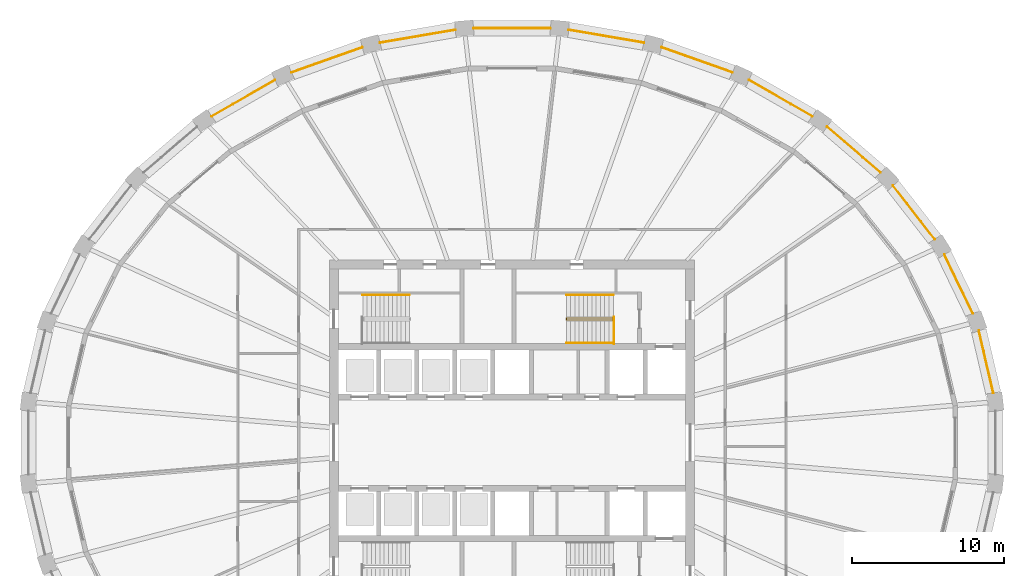
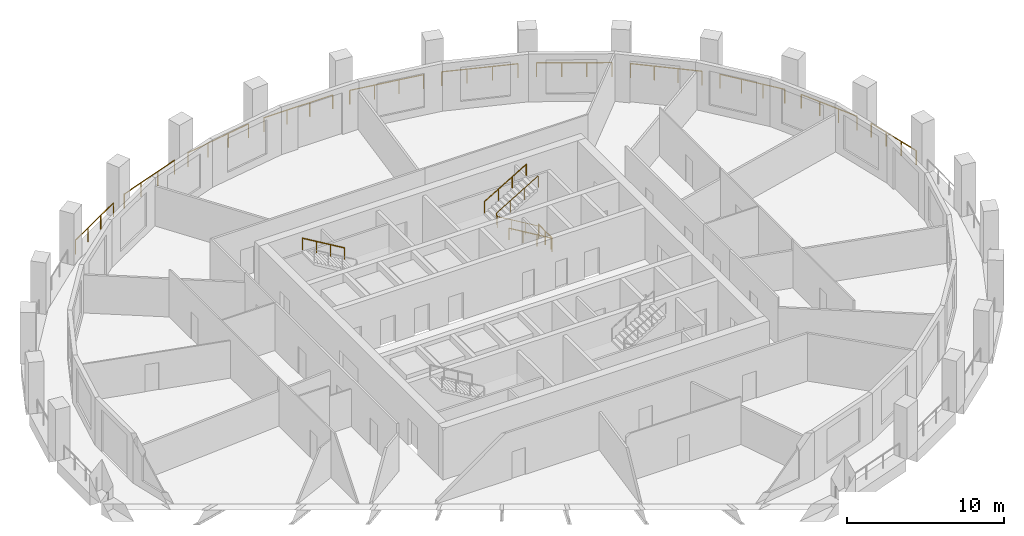
# One storey, part 10 of 11: 16 railings.
"""IFC4 building model written with IfcOpenShell, lengths in metres."""

from ifc_helpers import new_model, si_unit, direction, frame, origin, origin_2d, place, context, subcontext, project, spatial, circle, extrude, material, type_object, element, save


model = new_model("IFC4")

# Units and contexts
model_context = context("Model", 3, precision=1e-05, world=origin(), true_north=direction((0.0, 1.0)))
body_context = subcontext(model_context, "Body", "Model", "MODEL_VIEW")
ifc_project = project(units=[si_unit("LENGTHUNIT", "METRE"), si_unit("AREAUNIT", "SQUARE_METRE"), si_unit("VOLUMEUNIT", "CUBIC_METRE"), si_unit("PLANEANGLEUNIT", "RADIAN"), si_unit("MASSUNIT", "GRAM", prefix="KILO")], contexts=[model_context])

# Site, building, storey
site_placement = place(None, origin())
site = spatial("IfcSite", under=ifc_project, at=site_placement, CompositionType="ELEMENT")
building_placement = place(site_placement, origin())
building = spatial("IfcBuilding", under=site, at=building_placement, Name="Halqa Exchange Tower", CompositionType="ELEMENT")
storey_placement = place(building_placement, frame((0.0, 0.0, 214.89990234375)))
storey = spatial("IfcBuildingStorey", under=building, at=storey_placement, Name="L49", CompositionType="ELEMENT", Elevation=214.89990234375)

# Railings
ifc_material = material(Name="Stainless steel", Category="steel")
railing_type_1 = type_object("IfcRailingType", Name="Guard 1100 stainless steel", PredefinedType="GUARDRAIL", material=ifc_material)
railing_1_placement = place(storey_placement, frame((31.60546875, 3.26416015625, 0.0)))
element("IfcRailing", 1, at=railing_1_placement, inside=storey, type_object=railing_type_1, Name="Loggia guard 1", PredefinedType="GUARDRAIL", context=body_context, shape_type="SweptSolid", body=[
    extrude(circle(Radius=0.02392578125, at=origin_2d()), frame((0.0, 0.0, 1.076171875), z_axis=(-0.226057733886, 0.974113905532, 0.0), x_axis=(-0.974113905532, -0.226057733886, 0.0)), (0.0, 0.0, 1.0), 4.19580078125),
    extrude(circle(Radius=0.02099609375, at=origin_2d()), origin(), (0.0, 0.0, 1.0), 1.052001953125),
    extrude(circle(Radius=0.02099609375, at=origin_2d()), frame((-0.316162109375, 1.3623046875, 0.0)), (0.0, 0.0, 1.0), 1.052001953125),
    extrude(circle(Radius=0.02099609375, at=origin_2d()), frame((-0.63232421875, 2.724853515625, 0.0)), (0.0, 0.0, 1.0), 1.052001953125),
    extrude(circle(Radius=0.02099609375, at=origin_2d()), frame((-0.948486328125, 4.087158203125, 0.0)), (0.0, 0.0, 1.0), 1.052001953125),
])
railing_2_placement = place(storey_placement, frame((30.26025390625, 8.47607421875, 0.0)))
element("IfcRailing", 2, at=railing_2_placement, inside=storey, type_object=railing_type_1, Name="Loggia guard 2", PredefinedType="GUARDRAIL", context=body_context, shape_type="SweptSolid", body=[
    extrude(circle(Radius=0.02392578125, at=origin_2d()), frame((0.0, 0.0, 1.076171875), z_axis=(-0.435111117013, 0.900376763278, 0.0), x_axis=(-0.900376763278, -0.435111117013, 0.0)), (0.0, 0.0, 1.0), 4.299072265625),
    extrude(circle(Radius=0.02099609375, at=origin_2d()), origin(), (0.0, 0.0, 1.0), 1.052001953125),
    extrude(circle(Radius=0.02099609375, at=origin_2d()), frame((-0.62353515625, 1.290283203125, 0.0)), (0.0, 0.0, 1.0), 1.052001953125),
    extrude(circle(Radius=0.02099609375, at=origin_2d()), frame((-1.2470703125, 2.58056640625, 0.0)), (0.0, 0.0, 1.0), 1.052001953125),
    extrude(circle(Radius=0.02099609375, at=origin_2d()), frame((-1.87060546875, 3.870849609375, 0.0)), (0.0, 0.0, 1.0), 1.052001953125),
])
railing_3_placement = place(storey_placement, frame((27.759765625, 13.3603515625, 0.0)))
element("IfcRailing", 3, at=railing_3_placement, inside=storey, type_object=railing_type_1, Name="Loggia guard 3", PredefinedType="GUARDRAIL", context=body_context, shape_type="SweptSolid", body=[
    extrude(circle(Radius=0.02392578125, at=origin_2d()), frame((0.0, 0.0, 1.076171875), z_axis=(-0.614817574513, 0.788669354083, 0.0), x_axis=(-0.788669354083, -0.614817574513, 0.0)), (0.0, 0.0, 1.0), 4.4501953125),
    extrude(circle(Radius=0.02099609375, at=origin_2d()), origin(), (0.0, 0.0, 1.0), 1.052001953125),
    extrude(circle(Radius=0.02099609375, at=origin_2d()), frame((-0.912109375, 1.169921875, 0.0)), (0.0, 0.0, 1.0), 1.052001953125),
    extrude(circle(Radius=0.02099609375, at=origin_2d()), frame((-1.823974609375, 2.33984375, 0.0)), (0.0, 0.0, 1.0), 1.052001953125),
    extrude(circle(Radius=0.02099609375, at=origin_2d()), frame((-2.736083984375, 3.509765625, 0.0)), (0.0, 0.0, 1.0), 1.052001953125),
])
railing_4_placement = place(storey_placement, frame((24.199462890625, 17.733642578125, 0.0)))
element("IfcRailing", 4, at=railing_4_placement, inside=storey, type_object=railing_type_1, Name="Loggia guard 4", PredefinedType="GUARDRAIL", context=body_context, shape_type="SweptSolid", body=[
    extrude(circle(Radius=0.02392578125, at=origin_2d()), frame((0.0, 0.0, 1.076171875), z_axis=(-0.759282695438, 0.650760930302, 0.0), x_axis=(-0.650760930302, -0.759282695438, 0.0)), (0.0, 0.0, 1.0), 4.623046875),
    extrude(circle(Radius=0.02099609375, at=origin_2d()), origin(), (0.0, 0.0, 1.0), 1.052001953125),
    extrude(circle(Radius=0.02099609375, at=origin_2d()), frame((-1.170166015625, 1.0029296875, 0.0)), (0.0, 0.0, 1.0), 1.052001953125),
    extrude(circle(Radius=0.02099609375, at=origin_2d()), frame((-2.340087890625, 2.005615234375, 0.0)), (0.0, 0.0, 1.0), 1.052001953125),
    extrude(circle(Radius=0.02099609375, at=origin_2d()), frame((-3.51025390625, 3.008544921875, 0.0)), (0.0, 0.0, 1.0), 1.052001953125),
])
railing_5_placement = place(storey_placement, frame((19.713134765625, 21.430908203125, 0.0)))
element("IfcRailing", 5, at=railing_5_placement, inside=storey, type_object=railing_type_1, Name="Loggia guard 5", PredefinedType="GUARDRAIL", context=body_context, shape_type="SweptSolid", body=[
    extrude(circle(Radius=0.02392578125, at=origin_2d()), frame((0.0, 0.0, 1.076171875), z_axis=(-0.867744081254, 0.497011276983, 0.0), x_axis=(-0.497011276983, -0.867744081254, 0.0)), (0.0, 0.0, 1.0), 4.790771484375),
    extrude(circle(Radius=0.02099609375, at=origin_2d()), origin(), (0.0, 0.0, 1.0), 1.052001953125),
    extrude(circle(Radius=0.02099609375, at=origin_2d()), frame((-1.3857421875, 0.793701171875, 0.0)), (0.0, 0.0, 1.0), 1.052001953125),
    extrude(circle(Radius=0.02099609375, at=origin_2d()), frame((-2.771484375, 1.58740234375, 0.0)), (0.0, 0.0, 1.0), 1.052001953125),
    extrude(circle(Radius=0.02099609375, at=origin_2d()), frame((-4.1572265625, 2.381103515625, 0.0)), (0.0, 0.0, 1.0), 1.052001953125),
])
railing_6_placement = place(storey_placement, frame((14.4697265625, 24.310791015625, 0.0)))
element("IfcRailing", 6, at=railing_6_placement, inside=storey, type_object=railing_type_1, Name="Loggia guard 6", PredefinedType="GUARDRAIL", context=body_context, shape_type="SweptSolid", body=[
    extrude(circle(Radius=0.02392578125, at=origin_2d()), frame((0.0, 0.0, 1.076171875), z_axis=(-0.942353210316, 0.334619824589, 0.0), x_axis=(-0.334619824589, -0.942353210316, 0.0)), (0.0, 0.0, 1.0), 4.929931640625),
    extrude(circle(Radius=0.02099609375, at=origin_2d()), origin(), (0.0, 0.0, 1.0), 1.052001953125),
    extrude(circle(Radius=0.02099609375, at=origin_2d()), frame((-1.548583984375, 0.5498046875, 0.0)), (0.0, 0.0, 1.0), 1.052001953125),
    extrude(circle(Radius=0.02099609375, at=origin_2d()), frame((-3.09716796875, 1.099853515625, 0.0)), (0.0, 0.0, 1.0), 1.052001953125),
    extrude(circle(Radius=0.02099609375, at=origin_2d()), frame((-4.645751953125, 1.649658203125, 0.0)), (0.0, 0.0, 1.0), 1.052001953125),
])
railing_7_placement = place(storey_placement, frame((8.6669921875, 26.261962890625, 0.0)))
element("IfcRailing", 7, at=railing_7_placement, inside=storey, type_object=railing_type_1, Name="Loggia guard 7", PredefinedType="GUARDRAIL", context=body_context, shape_type="SweptSolid", body=[
    extrude(circle(Radius=0.02392578125, at=origin_2d()), frame((0.0, 0.0, 1.076171875), z_axis=(-0.985769265173, 0.168104003044, 0.0), x_axis=(-0.168104003044, -0.985769265173, 0.0)), (0.0, 0.0, 1.0), 5.020751953125),
    extrude(circle(Radius=0.02099609375, at=origin_2d()), origin(), (0.0, 0.0, 1.0), 1.052001953125),
    extrude(circle(Radius=0.02099609375, at=origin_2d()), frame((-1.649658203125, 0.28125, 0.0)), (0.0, 0.0, 1.0), 1.052001953125),
    extrude(circle(Radius=0.02099609375, at=origin_2d()), frame((-3.299560546875, 0.562744140625, 0.0)), (0.0, 0.0, 1.0), 1.052001953125),
    extrude(circle(Radius=0.02099609375, at=origin_2d()), frame((-4.94921875, 0.843994140625, 0.0)), (0.0, 0.0, 1.0), 1.052001953125),
])
railing_8_placement = place(storey_placement, frame((2.526123046875, 27.206787109375, 0.0)))
element("IfcRailing", 8, at=railing_8_placement, inside=storey, type_object=railing_type_1, Name="Loggia guard 8", PredefinedType="GUARDRAIL", context=body_context, shape_type="SweptSolid", body=[
    extrude(circle(Radius=0.02392578125, at=origin_2d()), frame((0.0, 0.0, 1.076171875), z_axis=(-1.0, 0.0, 0.0), x_axis=(0.0, -1.0, 0.0)), (0.0, 0.0, 1.0), 5.05224609375),
    extrude(circle(Radius=0.02099609375, at=origin_2d()), origin(), (0.0, 0.0, 1.0), 1.052001953125),
    extrude(circle(Radius=0.02099609375, at=origin_2d()), frame((-1.68408203125, 0.0, 0.0)), (0.0, 0.0, 1.0), 1.052001953125),
    extrude(circle(Radius=0.02099609375, at=origin_2d()), frame((-3.3681640625, 0.0, 0.0)), (0.0, 0.0, 1.0), 1.052001953125),
    extrude(circle(Radius=0.02099609375, at=origin_2d()), frame((-5.05224609375, 0.0, 0.0)), (0.0, 0.0, 1.0), 1.052001953125),
])
railing_9_placement = place(storey_placement, frame((-3.7177734375, 27.10595703125, 0.0)))
element("IfcRailing", 9, at=railing_9_placement, inside=storey, type_object=railing_type_1, Name="Loggia guard 9", PredefinedType="GUARDRAIL", context=body_context, shape_type="SweptSolid", body=[
    extrude(circle(Radius=0.02392578125, at=origin_2d()), frame((0.0, 0.0, 1.076171875), z_axis=(-0.985769265173, -0.168104003044, 0.0), x_axis=(0.168104003044, -0.985769265173, 0.0)), (0.0, 0.0, 1.0), 5.020751953125),
    extrude(circle(Radius=0.02099609375, at=origin_2d()), origin(), (0.0, 0.0, 1.0), 1.052001953125),
    extrude(circle(Radius=0.02099609375, at=origin_2d()), frame((-1.649658203125, -0.28125, 0.0)), (0.0, 0.0, 1.0), 1.052001953125),
    extrude(circle(Radius=0.02099609375, at=origin_2d()), frame((-3.299560546875, -0.562744140625, 0.0)), (0.0, 0.0, 1.0), 1.052001953125),
    extrude(circle(Radius=0.02099609375, at=origin_2d()), frame((-4.94921875, -0.843994140625, 0.0)), (0.0, 0.0, 1.0), 1.052001953125),
])
railing_10_placement = place(storey_placement, frame((-9.823974609375, 25.96044921875, 0.0)))
element("IfcRailing", 10, at=railing_10_placement, inside=storey, type_object=railing_type_1, Name="Loggia guard 10", PredefinedType="GUARDRAIL", context=body_context, shape_type="SweptSolid", body=[
    extrude(circle(Radius=0.02392578125, at=origin_2d()), frame((0.0, 0.0, 1.076171875), z_axis=(-0.942353210316, -0.334619824589, 0.0), x_axis=(0.334619824589, -0.942353210316, 0.0)), (0.0, 0.0, 1.0), 4.929931640625),
    extrude(circle(Radius=0.02099609375, at=origin_2d()), origin(), (0.0, 0.0, 1.0), 1.052001953125),
    extrude(circle(Radius=0.02099609375, at=origin_2d()), frame((-1.548583984375, -0.5498046875, 0.0)), (0.0, 0.0, 1.0), 1.052001953125),
    extrude(circle(Radius=0.02099609375, at=origin_2d()), frame((-3.09716796875, -1.099853515625, 0.0)), (0.0, 0.0, 1.0), 1.052001953125),
    extrude(circle(Radius=0.02099609375, at=origin_2d()), frame((-4.645751953125, -1.649658203125, 0.0)), (0.0, 0.0, 1.0), 1.052001953125),
])
railing_11_placement = place(storey_placement, frame((-15.555908203125, 23.81201171875, 0.0)))
element("IfcRailing", 11, at=railing_11_placement, inside=storey, type_object=railing_type_1, Name="Loggia guard 11", PredefinedType="GUARDRAIL", context=body_context, shape_type="SweptSolid", body=[
    extrude(circle(Radius=0.02392578125, at=origin_2d()), frame((0.0, 0.0, 1.076171875), z_axis=(-0.867744081254, -0.497011276983, 0.0), x_axis=(0.497011276983, -0.867744081254, 0.0)), (0.0, 0.0, 1.0), 4.790771484375),
    extrude(circle(Radius=0.02099609375, at=origin_2d()), origin(), (0.0, 0.0, 1.0), 1.052001953125),
    extrude(circle(Radius=0.02099609375, at=origin_2d()), frame((-1.3857421875, -0.793701171875, 0.0)), (0.0, 0.0, 1.0), 1.052001953125),
    extrude(circle(Radius=0.02099609375, at=origin_2d()), frame((-2.771484375, -1.58740234375, 0.0)), (0.0, 0.0, 1.0), 1.052001953125),
    extrude(circle(Radius=0.02099609375, at=origin_2d()), frame((-4.1572265625, -2.381103515625, 0.0)), (0.0, 0.0, 1.0), 1.052001953125),
])
railing_type_2 = type_object("IfcRailingType", Name="Stair handrail 900", PredefinedType="HANDRAIL", material=ifc_material)
railing_12_placement = place(storey_placement, frame((-6.719970703125, 9.699951171875, 2.166748046875)))
element("IfcRailing", 12, at=railing_12_placement, inside=storey, type_object=railing_type_2, Name="Handrail ST1.3", PredefinedType="HANDRAIL", context=body_context, shape_type="SweptSolid", body=[
    extrude(circle(Radius=0.02392578125, at=origin_2d()), frame((0.0, 0.0, 0.8759765625), z_axis=(-0.859308565015, 0.0, 0.511457515432), x_axis=(0.0, -1.0, 0.0)), (0.0, 0.0, 1.0), 3.58447265625),
    extrude(circle(Radius=0.02099609375, at=origin_2d()), origin(), (0.0, 0.0, 1.0), 0.851806640625),
    extrude(circle(Radius=0.02099609375, at=origin_2d()), frame((-1.026611328125, 0.0, 0.611083984375)), (0.0, 0.0, 1.0), 0.851806640625),
    extrude(circle(Radius=0.02099609375, at=origin_2d()), frame((-2.053466796875, 0.0, 1.22216796875)), (0.0, 0.0, 1.0), 0.851806640625),
    extrude(circle(Radius=0.02099609375, at=origin_2d()), frame((-3.080078125, 0.0, 1.833251953125)), (0.0, 0.0, 1.0), 0.851806640625),
])
railing_13_placement = place(storey_placement, frame((6.64990234375, 8.06005859375, 0.166748046875)))
element("IfcRailing", 13, at=railing_13_placement, inside=storey, type_object=railing_type_2, Name="Handrail ST2.1", PredefinedType="HANDRAIL", context=body_context, shape_type="SweptSolid", body=[
    extrude(circle(Radius=0.02392578125, at=origin_2d()), frame((0.0, 0.0, 0.8759765625), z_axis=(-0.859290745958, 0.0, 0.51148745235), x_axis=(0.0, -1.0, 0.0)), (0.0, 0.0, 1.0), 3.584228515625),
    extrude(circle(Radius=0.02392578125, at=origin_2d()), frame((-3.079833984375, 0.0, 2.708984375), z_axis=(0.0, 0.614500226555, 0.788916644243), x_axis=(-1.0, 0.0, 0.0)), (0.0, 0.0, 1.0), 0.21142578125),
    extrude(circle(Radius=0.02392578125, at=origin_2d()), frame((-3.079833984375, 0.1298828125, 2.8759765625), z_axis=(0.859290745958, 0.0, 0.51148745235), x_axis=(0.0, 1.0, 0.0)), (0.0, 0.0, 1.0), 3.584228515625),
    extrude(circle(Radius=0.02099609375, at=origin_2d()), origin(), (0.0, 0.0, 1.0), 0.851806640625),
    extrude(circle(Radius=0.02099609375, at=origin_2d()), frame((-1.026611328125, 0.0, 0.611083984375)), (0.0, 0.0, 1.0), 0.851806640625),
    extrude(circle(Radius=0.02099609375, at=origin_2d()), frame((-2.05322265625, 0.0, 1.22216796875)), (0.0, 0.0, 1.0), 0.851806640625),
    extrude(circle(Radius=0.02099609375, at=origin_2d()), frame((-3.079833984375, 0.0, 1.833251953125)), (0.0, 0.0, 1.0), 0.851806640625),
    extrude(circle(Radius=0.02099609375, at=origin_2d()), frame((-3.079833984375, 0.1298828125, 2.0)), (0.0, 0.0, 1.0), 0.851806640625),
    extrude(circle(Radius=0.02099609375, at=origin_2d()), frame((-2.05322265625, 0.1298828125, 2.611083984375)), (0.0, 0.0, 1.0), 0.851806640625),
    extrude(circle(Radius=0.02099609375, at=origin_2d()), frame((-1.026611328125, 0.1298828125, 3.22216796875)), (0.0, 0.0, 1.0), 0.851806640625),
    extrude(circle(Radius=0.02099609375, at=origin_2d()), frame((0.0, 0.1298828125, 3.833251953125)), (0.0, 0.0, 1.0), 0.851806640625),
])
railing_14_placement = place(storey_placement, frame((6.64990234375, 6.550048828125, 0.166748046875)))
element("IfcRailing", 14, at=railing_14_placement, inside=storey, type_object=railing_type_2, Name="Handrail ST2.2", PredefinedType="HANDRAIL", context=body_context, shape_type="SweptSolid", body=[
    extrude(circle(Radius=0.02392578125, at=origin_2d()), frame((0.0, 0.0, 0.8759765625), z_axis=(-0.859290745958, 0.0, 0.51148745235), x_axis=(0.0, -1.0, 0.0)), (0.0, 0.0, 1.0), 3.584228515625),
    extrude(circle(Radius=0.02099609375, at=origin_2d()), origin(), (0.0, 0.0, 1.0), 0.851806640625),
    extrude(circle(Radius=0.02099609375, at=origin_2d()), frame((-1.026611328125, 0.0, 0.611083984375)), (0.0, 0.0, 1.0), 0.851806640625),
    extrude(circle(Radius=0.02099609375, at=origin_2d()), frame((-2.05322265625, 0.0, 1.22216796875)), (0.0, 0.0, 1.0), 0.851806640625),
    extrude(circle(Radius=0.02099609375, at=origin_2d()), frame((-3.079833984375, 0.0, 1.833251953125)), (0.0, 0.0, 1.0), 0.851806640625),
])
railing_15_placement = place(storey_placement, frame((3.570068359375, 9.699951171875, 2.166748046875)))
element("IfcRailing", 15, at=railing_15_placement, inside=storey, type_object=railing_type_2, Name="Handrail ST2.3", PredefinedType="HANDRAIL", context=body_context, shape_type="SweptSolid", body=[
    extrude(circle(Radius=0.02392578125, at=origin_2d()), frame((0.0, 0.0, 0.8759765625), z_axis=(0.859290745958, 0.0, 0.51148745235), x_axis=(0.0, 1.0, 0.0)), (0.0, 0.0, 1.0), 3.584228515625),
    extrude(circle(Radius=0.02099609375, at=origin_2d()), origin(), (0.0, 0.0, 1.0), 0.851806640625),
    extrude(circle(Radius=0.02099609375, at=origin_2d()), frame((1.026611328125, 0.0, 0.611083984375)), (0.0, 0.0, 1.0), 0.851806640625),
    extrude(circle(Radius=0.02099609375, at=origin_2d()), frame((2.05322265625, 0.0, 1.22216796875)), (0.0, 0.0, 1.0), 0.851806640625),
    extrude(circle(Radius=0.02099609375, at=origin_2d()), frame((3.079833984375, 0.0, 1.833251953125)), (0.0, 0.0, 1.0), 0.851806640625),
])
railing_type_3 = type_object("IfcRailingType", Name="Stair well guard 1100", PredefinedType="GUARDRAIL", material=ifc_material)
railing_16_placement = place(storey_placement, frame((6.699951171875, 6.5, 0.0)))
element("IfcRailing", 16, at=railing_16_placement, inside=storey, type_object=railing_type_3, Name="Guard ST2 well", PredefinedType="GUARDRAIL", context=body_context, shape_type="SweptSolid", body=[
    extrude(circle(Radius=0.02392578125, at=origin_2d()), frame((0.0, 0.0, 1.076171875), z_axis=(0.0, 1.0, 0.0), x_axis=(-1.0, 0.0, 0.0)), (0.0, 0.0, 1.0), 1.75),
    extrude(circle(Radius=0.02099609375, at=origin_2d()), origin(), (0.0, 0.0, 1.0), 1.052001953125),
    extrude(circle(Radius=0.02099609375, at=origin_2d()), frame((0.0, 0.875, 0.0)), (0.0, 0.0, 1.0), 1.052001953125),
    extrude(circle(Radius=0.02099609375, at=origin_2d()), frame((0.0, 1.75, 0.0)), (0.0, 0.0, 1.0), 1.052001953125),
])

save(model, "model.ifc")
